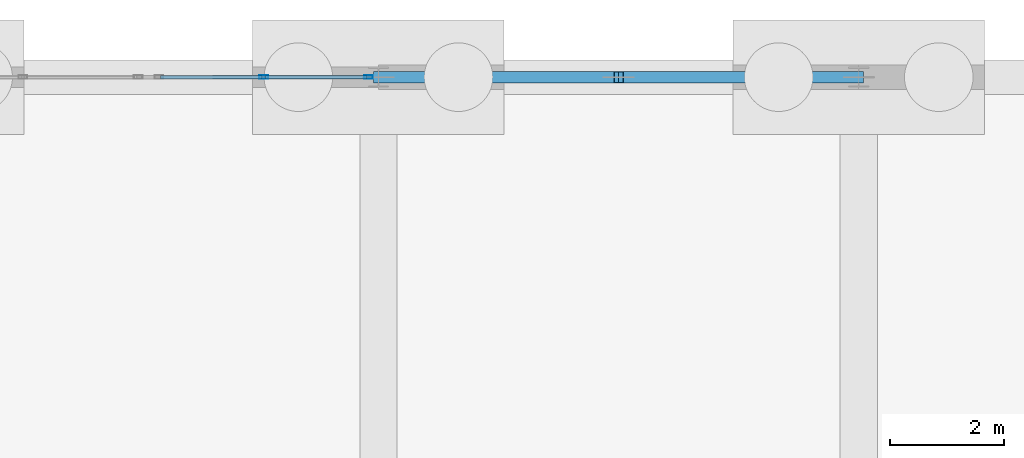
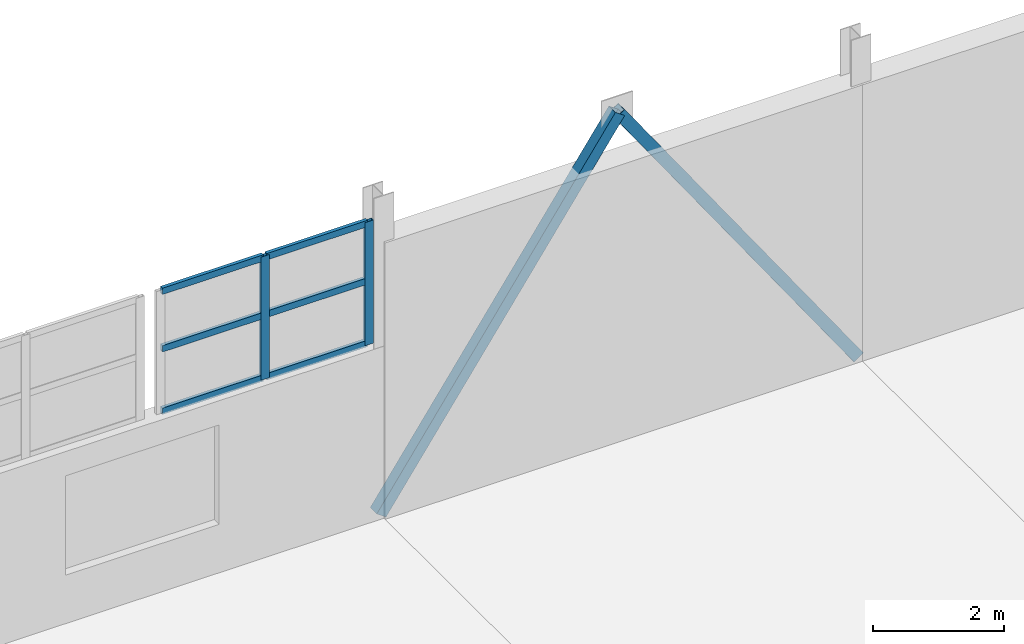
# One storey, part 97 of 139: 10 members, 1 element without a shape of its own.
"""IFC4 building model written with IfcOpenShell, lengths in metres."""

from ifc_helpers import new_model, si_unit, direction, frame, origin, origin_2d, place, context, subcontext, project, spatial, hollow_rectangle, extrude, material, material_profile, profile_set, type_object, element, aggregate, save


model = new_model("IFC4")

# Units and contexts
model_context = context("Model", 3, precision=1e-05, world=origin(), true_north=direction((0.0, 1.0)))
body_context = subcontext(model_context, "Body", "Model", "MODEL_VIEW")
ifc_project = project(units=[si_unit("LENGTHUNIT", "METRE"), si_unit("AREAUNIT", "SQUARE_METRE"), si_unit("VOLUMEUNIT", "CUBIC_METRE"), si_unit("PLANEANGLEUNIT", "RADIAN"), si_unit("MASSUNIT", "GRAM", prefix="KILO")], contexts=[model_context])

# Site, building, storey
site_placement = place(None, origin())
site = spatial("IfcSite", under=ifc_project, at=site_placement, CompositionType="ELEMENT")
building_placement = place(site_placement, origin())
building = spatial("IfcBuilding", under=site, at=building_placement, Name="Kazenagashi Tramway Depot", CompositionType="ELEMENT")
storey_placement = place(building_placement, origin())
storey = spatial("IfcBuildingStorey", under=building, at=storey_placement, Name="L01", CompositionType="ELEMENT", Elevation=0.0)

# Members
ifc_material_1 = material(Name="Steel STKR490", Category="steel")
ifc_material_profile_1 = material_profile(ifc_material_1, hollow_rectangle(XDim=0.2, YDim=0.2, WallThickness=0.009, at=origin_2d()), Name="SHS-200x200x9")
ifc_profile_set_1 = profile_set([ifc_material_profile_1], Name="Steel STKR490")
member_type_1 = type_object("IfcMemberType", Name="BR-01", PredefinedType="BRACE", material=ifc_profile_set_1)
for number, where, z_axis, x_axis, name in (
    (1, (112.0, 130.0, 0.0), (0.573462344363, 0.0, 0.819231920519), (0.0, 1.0, 0.0), "Seismic Brace Member BR-01 MEM-1596"),
    (2, (120.4, 130.0, 0.0), (-0.573462344363, 0.0, 0.819231920519), (0.0, -1.0, 0.0), "Seismic Brace Member BR-01 MEM-1597"),
):
    element("IfcMember", number, at=place(storey_placement, frame(where, z_axis=z_axis, x_axis=x_axis)), inside=storey, type_object=member_type_1, Name=name, PredefinedType="BRACE", context=body_context, shape_type="SweptSolid", body=[
        extrude(hollow_rectangle(XDim=0.2, YDim=0.2, WallThickness=0.009, at=origin_2d()), origin(), (0.0, 0.0, 1.0), 7.323933),
    ])

# Curtain wall, members
ifc_material_2 = material(Name="Anodised Aluminium and Low-E Glazing", Category="aluminium")
curtain_wall_type = type_object("IfcCurtainWallType", Name="CW-17", PredefinedType="USERDEFINED", material=ifc_material_2)
curtain_wall_placement = place(storey_placement, origin())
curtain_wall = element("IfcCurtainWall", 3, at=curtain_wall_placement, inside=storey, type_object=curtain_wall_type, Name="Industrial Glazed Screen CW-17 CW-0073", ObjectType="GLAZED SCREEN", PredefinedType="USERDEFINED")
ifc_material_3 = material(Name="Anodised Aluminium", Category="aluminium")
ifc_material_profile_2 = material_profile(ifc_material_3, hollow_rectangle(XDim=0.06, YDim=0.15, WallThickness=0.004, at=origin_2d()), Name="RHS-150x60x4")
ifc_profile_set_2 = profile_set([ifc_material_profile_2], Name="Anodised Aluminium")
member_type_2 = type_object("IfcMemberType", Name="ML-01", PredefinedType="MULLION", material=ifc_profile_set_2)
member_1_placement = place(storey_placement, frame((109.995, 130.0, 3.2), z_axis=(0.0, 0.0, 1.0), x_axis=(0.0, 1.0, 0.0)))
member_1 = element("IfcMember", 4, at=member_1_placement, type_object=member_type_2, Name="CW-17 mullion 2", PredefinedType="MULLION", context=body_context, shape_type="SweptSolid", body=[
    extrude(hollow_rectangle(XDim=0.06, YDim=0.15, WallThickness=0.004, at=origin_2d()), origin(), (0.0, 0.0, 1.0), 2.292),
])
member_2_placement = place(storey_placement, frame((111.83, 130.0, 3.2), z_axis=(0.0, 0.0, 1.0), x_axis=(0.0, 1.0, 0.0)))
member_2 = element("IfcMember", 5, at=member_2_placement, type_object=member_type_2, Name="CW-17 mullion 3", PredefinedType="MULLION", context=body_context, shape_type="SweptSolid", body=[
    extrude(hollow_rectangle(XDim=0.06, YDim=0.15, WallThickness=0.004, at=origin_2d()), origin(), (0.0, 0.0, 1.0), 2.292),
])
ifc_material_profile_3 = material_profile(ifc_material_3, hollow_rectangle(XDim=0.06, YDim=0.12, WallThickness=0.004, at=origin_2d()), Name="RHS-120x60x4")
ifc_profile_set_3 = profile_set([ifc_material_profile_3], Name="Anodised Aluminium")
member_type_3 = type_object("IfcMemberType", Name="TR-01", PredefinedType="USERDEFINED", material=ifc_profile_set_3)
member_3_placement = place(storey_placement, frame((108.19, 130.0, 3.23), z_axis=(1.0, 0.0, 0.0), x_axis=(0.0, 1.0, 0.0)))
member_3 = element("IfcMember", 6, at=member_3_placement, type_object=member_type_3, Name="CW-17 transom 1.1", ObjectType="TRANSOM", PredefinedType="USERDEFINED", context=body_context, shape_type="SweptSolid", body=[
    extrude(hollow_rectangle(XDim=0.06, YDim=0.12, WallThickness=0.004, at=origin_2d()), origin(), (0.0, 0.0, 1.0), 1.775),
])
member_4_placement = place(storey_placement, frame((108.19, 130.0, 4.392), z_axis=(1.0, 0.0, 0.0), x_axis=(0.0, 1.0, 0.0)))
member_4 = element("IfcMember", 7, at=member_4_placement, type_object=member_type_3, Name="CW-17 transom 1.2", ObjectType="TRANSOM", PredefinedType="USERDEFINED", context=body_context, shape_type="SweptSolid", body=[
    extrude(hollow_rectangle(XDim=0.06, YDim=0.12, WallThickness=0.004, at=origin_2d()), origin(), (0.0, 0.0, 1.0), 1.775),
])
member_5_placement = place(storey_placement, frame((108.19, 130.0, 5.462), z_axis=(1.0, 0.0, 0.0), x_axis=(0.0, 1.0, 0.0)))
member_5 = element("IfcMember", 8, at=member_5_placement, type_object=member_type_3, Name="CW-17 transom 1.3", ObjectType="TRANSOM", PredefinedType="USERDEFINED", context=body_context, shape_type="SweptSolid", body=[
    extrude(hollow_rectangle(XDim=0.06, YDim=0.12, WallThickness=0.004, at=origin_2d()), origin(), (0.0, 0.0, 1.0), 1.775),
])
member_6_placement = place(storey_placement, frame((110.025, 130.0, 3.23), z_axis=(1.0, 0.0, 0.0), x_axis=(0.0, 1.0, 0.0)))
member_6 = element("IfcMember", 9, at=member_6_placement, type_object=member_type_3, Name="CW-17 transom 2.1", ObjectType="TRANSOM", PredefinedType="USERDEFINED", context=body_context, shape_type="SweptSolid", body=[
    extrude(hollow_rectangle(XDim=0.06, YDim=0.12, WallThickness=0.004, at=origin_2d()), origin(), (0.0, 0.0, 1.0), 1.775),
])
member_7_placement = place(storey_placement, frame((110.025, 130.0, 4.392), z_axis=(1.0, 0.0, 0.0), x_axis=(0.0, 1.0, 0.0)))
member_7 = element("IfcMember", 10, at=member_7_placement, type_object=member_type_3, Name="CW-17 transom 2.2", ObjectType="TRANSOM", PredefinedType="USERDEFINED", context=body_context, shape_type="SweptSolid", body=[
    extrude(hollow_rectangle(XDim=0.06, YDim=0.12, WallThickness=0.004, at=origin_2d()), origin(), (0.0, 0.0, 1.0), 1.775),
])
member_8_placement = place(storey_placement, frame((110.025, 130.0, 5.462), z_axis=(1.0, 0.0, 0.0), x_axis=(0.0, 1.0, 0.0)))
member_8 = element("IfcMember", 11, at=member_8_placement, type_object=member_type_3, Name="CW-17 transom 2.3", ObjectType="TRANSOM", PredefinedType="USERDEFINED", context=body_context, shape_type="SweptSolid", body=[
    extrude(hollow_rectangle(XDim=0.06, YDim=0.12, WallThickness=0.004, at=origin_2d()), origin(), (0.0, 0.0, 1.0), 1.775),
])
aggregate(curtain_wall, [member_1, member_2, member_3, member_4, member_5, member_6, member_7, member_8])

save(model, "model.ifc")
